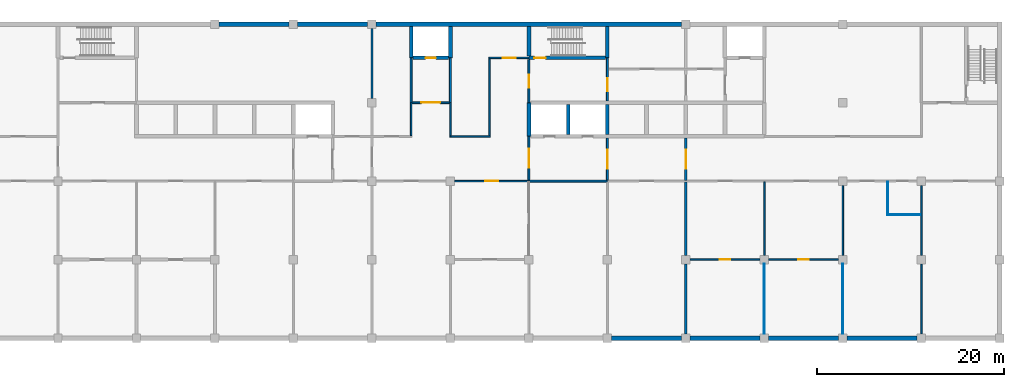
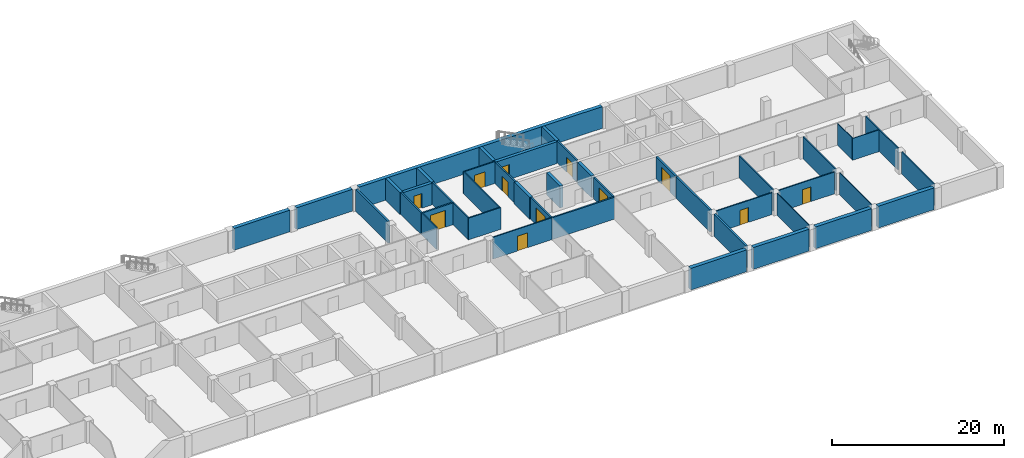
# One storey, part 5 of 12: 44 walls, 12 doors, 12 openings.
"""IFC4 building model written with IfcOpenShell, lengths in metres."""

from ifc_helpers import new_model, si_unit, direction, frame, frame_2d, origin, place, context, subcontext, project, spatial, rectangle, extrude, material, layer, layer_set, type_object, element, fill, save


model = new_model("IFC4")

# Units and contexts
model_context = context("Model", 3, precision=1e-05, world=origin(), true_north=direction((0.0, 1.0)))
body_context = subcontext(model_context, "Body", "Model", "MODEL_VIEW")
ifc_project = project(units=[si_unit("LENGTHUNIT", "METRE"), si_unit("AREAUNIT", "SQUARE_METRE"), si_unit("VOLUMEUNIT", "CUBIC_METRE"), si_unit("PLANEANGLEUNIT", "RADIAN"), si_unit("MASSUNIT", "GRAM", prefix="KILO")], contexts=[model_context])

# Site, building, storey
site_placement = place(None, origin())
site = spatial("IfcSite", under=ifc_project, at=site_placement, CompositionType="ELEMENT")
building_placement = place(site_placement, origin())
building = spatial("IfcBuilding", under=site, at=building_placement, Name="Yavir Park General Hospital", CompositionType="ELEMENT")
storey_placement = place(building_placement, frame((0.0, 0.0, -7.800048828125)))
storey = spatial("IfcBuildingStorey", under=building, at=storey_placement, Name="B2", CompositionType="ELEMENT", Elevation=-7.800048828125)

# Walls
ifc_material_1 = material(Name="Concrete C30/37", Category="concrete")
ifc_layer_1 = layer(ifc_material_1, 0.25)
ifc_layer_set_1 = layer_set([ifc_layer_1], Name="Concrete C30/37")
wall_type_1 = type_object("IfcWallType", Name="Compartment fire wall 250, REI 150", PredefinedType="SOLIDWALL", material=ifc_layer_set_1)
for number, where, z_axis, x_axis, name in (
    (1, (100.800048828125, 25.64990234375, 0.0), (0.0, 0.0, 1.0), (0.0, 1.0, 0.0), "FW25 B2-113"),
    (2, (134.39990234375, 0.449951171875, 0.0), (0.0, 0.0, 1.0), (0.0, 1.0, 0.0), "FW25 B2-137"),
):
    element("IfcWall", number, at=place(storey_placement, frame(where, z_axis=z_axis, x_axis=x_axis)), inside=storey, type_object=wall_type_1, Name=name, PredefinedType="SOLIDWALL", context=body_context, shape_type="SweptSolid", body=[
        extrude(rectangle(XDim=7.5, YDim=0.25, at=frame_2d((3.75, 0.0))), origin(), (0.0, 0.0, 1.0), 3.10009765625),
    ])
wall_1_placement = place(storey_placement, frame((134.39990234375, 8.85009765625, 0.0), z_axis=(0.0, 0.0, 1.0), x_axis=(0.0, 1.0, 0.0)))
element("IfcWall", 3, at=wall_1_placement, inside=storey, type_object=wall_type_1, Name="FW25 B2-138", PredefinedType="SOLIDWALL", context=body_context, shape_type="SweptSolid", body=[
    extrude(rectangle(XDim=7.875, YDim=0.25, at=frame_2d((3.9375, 0.0))), origin(), (0.0, 0.0, 1.0), 3.10009765625),
])

# Wall, opening, door
wall_2_placement = place(storey_placement, frame((134.39990234375, 16.875, 0.0), z_axis=(0.0, 0.0, 1.0), x_axis=(0.0, 1.0, 0.0)))
wall_2 = element("IfcWall", 4, at=wall_2_placement, inside=storey, type_object=wall_type_1, Name="FW25 B2-139", PredefinedType="SOLIDWALL", context=body_context, shape_type="SweptSolid", body=[
    extrude(rectangle(XDim=4.52490234375, YDim=0.25, at=frame_2d((2.262451171875, 0.0))), origin(), (0.0, 0.0, 1.0), 3.10009765625),
])
opening_1_placement = place(wall_2_placement, frame((1.262451171875, 0.0, 0.0)))
opening_1 = element("IfcOpeningElement", 5, at=opening_1_placement, cuts=wall_2, Name="Opening B2.D069", PredefinedType="OPENING", context=body_context, shape_type="SweptSolid", body=[
    extrude(rectangle(XDim=2.0, YDim=2.39990234375, at=frame_2d((1.0, 1.199951171875))), frame((0.0, 0.135009765625, 0.0), z_axis=(0.0, -1.0, 0.0), x_axis=(1.0, 0.0, 0.0)), (0.0, 0.0, 1.0), 0.27001953125),
])
ifc_material_2 = material(Name="Steel frame, fire-resisting leaves with vision panels", Category="steel")
door_type_1 = type_object("IfcDoorType", Name="Double fire door with vision panels 2000 x 2400, EI 60", OperationType="DOUBLE_DOOR_SINGLE_SWING", PredefinedType="DOOR", material=ifc_material_2)
door_1_placement = place(opening_1_placement, origin())
door_1 = element("IfcDoor", 6, at=door_1_placement, inside=storey, type_object=door_type_1, Name="B2.D069", OperationType="SINGLE_SWING_RIGHT", OverallHeight=2.39990234375, OverallWidth=2.0, PredefinedType="DOOR", context=body_context, shape_type="SweptSolid", body=[
    extrude(rectangle(XDim=2.0, YDim=2.39990234375, at=frame_2d((1.0, 1.199951171875))), frame((0.0, 0.030029296875, 0.0), z_axis=(0.0, -1.0, 0.0), x_axis=(1.0, 0.0, 0.0)), (0.0, 0.0, 1.0), 0.06005859375),
])
fill(opening_1, door_1)

# Wall
ifc_material_3 = material(Name="Double gypsum board fire partition on steel studs", Category="steel")
ifc_layer_2 = layer(ifc_material_3, 0.199951171875)
ifc_layer_set_2 = layer_set([ifc_layer_2], Name="Double gypsum board fire partition on steel studs")
wall_type_2 = type_object("IfcWallType", Name="Fire-rated partition 200, EI 60", PredefinedType="PARTITIONING", material=ifc_layer_set_2)
wall_3_placement = place(storey_placement, frame((117.60009765625, 16.800048828125, 0.0), z_axis=(0.0, 0.0, 1.0), x_axis=(1.0, 0.0, 0.0)))
element("IfcWall", 7, at=wall_3_placement, inside=storey, type_object=wall_type_2, Name="FP20 B2-024", PredefinedType="PARTITIONING", context=body_context, shape_type="SweptSolid", body=[
    extrude(rectangle(XDim=8.39990234375, YDim=0.199951171875, at=frame_2d((4.199951171875, 0.0))), origin(), (0.0, 0.0, 1.0), 3.10009765625),
])

# Wall, opening, door
wall_4_placement = place(storey_placement, frame((105.10009765625, 25.199951171875, 0.0), z_axis=(0.0, 0.0, 1.0), x_axis=(1.0, 0.0, 0.0)))
wall_4 = element("IfcWall", 8, at=wall_4_placement, inside=storey, type_object=wall_type_2, Name="FP20 B2-043", PredefinedType="PARTITIONING", context=body_context, shape_type="SweptSolid", body=[
    extrude(rectangle(XDim=4.0, YDim=0.199951171875, at=frame_2d((2.0, 0.0))), origin(), (0.0, 0.0, 1.0), 3.10009765625),
])
opening_2_placement = place(wall_4_placement, frame((1.0, 0.0, 0.0)))
opening_2 = element("IfcOpeningElement", 9, at=opening_2_placement, cuts=wall_4, Name="Opening B2.D043", PredefinedType="OPENING", context=body_context, shape_type="SweptSolid", body=[
    extrude(rectangle(XDim=2.0, YDim=2.39990234375, at=frame_2d((1.0, 1.199951171875))), frame((0.0, 0.10986328125, 0.0), z_axis=(0.0, -1.0, 0.0), x_axis=(1.0, 0.0, 0.0)), (0.0, 0.0, 1.0), 0.219970703125),
])
door_2_placement = place(opening_2_placement, origin())
door_2 = element("IfcDoor", 10, at=door_2_placement, inside=storey, type_object=door_type_1, Name="B2.D043", OperationType="SINGLE_SWING_LEFT", OverallHeight=2.39990234375, OverallWidth=2.0, PredefinedType="DOOR", context=body_context, shape_type="SweptSolid", body=[
    extrude(rectangle(XDim=2.0, YDim=2.39990234375, at=frame_2d((1.0, 1.199951171875))), frame((0.0, 0.030029296875, 0.0), z_axis=(0.0, -1.0, 0.0), x_axis=(1.0, 0.0, 0.0)), (0.0, 0.0, 1.0), 0.06005859375),
])
fill(opening_2, door_2)

# Walls
for number, where, z_axis, x_axis, name in (
    (11, (105.0, 25.199951171875, 0.0), (0.0, 0.0, 1.0), (0.0, 1.0, 0.0), "FP20 B2-115"),
    (12, (109.199951171875, 25.199951171875, 0.0), (0.0, 0.0, 1.0), (0.0, 1.0, 0.0), "FP20 B2-120"),
):
    element("IfcWall", number, at=place(storey_placement, frame(where, z_axis=z_axis, x_axis=x_axis)), inside=storey, type_object=wall_type_2, Name=name, PredefinedType="PARTITIONING", context=body_context, shape_type="SweptSolid", body=[
        extrude(rectangle(XDim=4.800048828125, YDim=0.199951171875, at=frame_2d((2.39990234375, 0.0))), origin(), (0.0, 0.0, 1.0), 3.10009765625),
    ])

# Wall, opening, door
wall_5_placement = place(storey_placement, frame((117.60009765625, 16.89990234375, 0.0), z_axis=(0.0, 0.0, 1.0), x_axis=(0.0, 1.0, 0.0)))
wall_5 = element("IfcWall", 13, at=wall_5_placement, inside=storey, type_object=wall_type_2, Name="FP20 B2-125", PredefinedType="PARTITIONING", context=body_context, shape_type="SweptSolid", body=[
    extrude(rectangle(XDim=4.7001953125, YDim=0.199951171875, at=frame_2d((2.35009765625, 0.0))), origin(), (0.0, 0.0, 1.0), 3.10009765625),
])
opening_3_placement = place(wall_5_placement, frame((1.35009765625, 0.0, 0.0)))
opening_3 = element("IfcOpeningElement", 14, at=opening_3_placement, cuts=wall_5, Name="Opening B2.D065", PredefinedType="OPENING", context=body_context, shape_type="SweptSolid", body=[
    extrude(rectangle(XDim=2.0, YDim=2.39990234375, at=frame_2d((1.0, 1.199951171875))), frame((0.0, 0.10986328125, 0.0), z_axis=(0.0, -1.0, 0.0), x_axis=(1.0, 0.0, 0.0)), (0.0, 0.0, 1.0), 0.219970703125),
])
door_3_placement = place(opening_3_placement, origin())
door_3 = element("IfcDoor", 15, at=door_3_placement, inside=storey, type_object=door_type_1, Name="B2.D065", OperationType="SINGLE_SWING_LEFT", OverallHeight=2.39990234375, OverallWidth=2.0, PredefinedType="DOOR", context=body_context, shape_type="SweptSolid", body=[
    extrude(rectangle(XDim=2.0, YDim=2.39990234375, at=frame_2d((1.0, 1.199951171875))), frame((0.0, 0.030029296875, 0.0), z_axis=(0.0, -1.0, 0.0), x_axis=(1.0, 0.0, 0.0)), (0.0, 0.0, 1.0), 0.06005859375),
])
fill(opening_3, door_3)

wall_6_placement = place(storey_placement, frame((117.60009765625, 25.199951171875, 0.0), z_axis=(0.0, 0.0, 1.0), x_axis=(0.0, 1.0, 0.0)))
wall_6 = element("IfcWall", 16, at=wall_6_placement, inside=storey, type_object=wall_type_2, Name="FP20 B2-127", PredefinedType="PARTITIONING", context=body_context, shape_type="SweptSolid", body=[
    extrude(rectangle(XDim=4.60009765625, YDim=0.199951171875, at=frame_2d((2.300048828125, 0.0))), origin(), (0.0, 0.0, 1.0), 3.10009765625),
])
opening_4_placement = place(wall_6_placement, frame((1.60009765625, 0.0, 0.0)))
opening_4 = element("IfcOpeningElement", 17, at=opening_4_placement, cuts=wall_6, Name="Opening B2.D066", PredefinedType="OPENING", context=body_context, shape_type="SweptSolid", body=[
    extrude(rectangle(XDim=1.39990234375, YDim=2.10009765625, at=frame_2d((0.699951171875, 1.050048828125))), frame((0.0, 0.10986328125, 0.0), z_axis=(0.0, -1.0, 0.0), x_axis=(1.0, 0.0, 0.0)), (0.0, 0.0, 1.0), 0.219970703125),
])
ifc_material_4 = material(Name="Steel frame, fire-resisting leaves with vision panels", Category="steel")
door_type_2 = type_object("IfcDoorType", Name="Double fire door with vision panels 1400 x 2100, EI 60", OperationType="DOUBLE_DOOR_SINGLE_SWING", PredefinedType="DOOR", material=ifc_material_4)
door_4_placement = place(opening_4_placement, origin())
door_4 = element("IfcDoor", 18, at=door_4_placement, inside=storey, type_object=door_type_2, Name="B2.D066", OperationType="SINGLE_SWING_LEFT", OverallHeight=2.10009765625, OverallWidth=1.39990234375, PredefinedType="DOOR", context=body_context, shape_type="SweptSolid", body=[
    extrude(rectangle(XDim=1.39990234375, YDim=2.10009765625, at=frame_2d((0.699951171875, 1.050048828125))), frame((0.0, 0.030029296875, 0.0), z_axis=(0.0, -1.0, 0.0), x_axis=(1.0, 0.0, 0.0)), (0.0, 0.0, 1.0), 0.06005859375),
])
fill(opening_4, door_4)

wall_7_placement = place(storey_placement, frame((126.0, 16.89990234375, 0.0), z_axis=(0.0, 0.0, 1.0), x_axis=(0.0, 1.0, 0.0)))
wall_7 = element("IfcWall", 19, at=wall_7_placement, inside=storey, type_object=wall_type_2, Name="FP20 B2-132", PredefinedType="PARTITIONING", context=body_context, shape_type="SweptSolid", body=[
    extrude(rectangle(XDim=4.5, YDim=0.199951171875, at=frame_2d((2.25, 0.0))), origin(), (0.0, 0.0, 1.0), 3.10009765625),
])
opening_5_placement = place(wall_7_placement, frame((1.25, 0.0, 0.0)))
opening_5 = element("IfcOpeningElement", 20, at=opening_5_placement, cuts=wall_7, Name="Opening B2.D067", PredefinedType="OPENING", context=body_context, shape_type="SweptSolid", body=[
    extrude(rectangle(XDim=2.0, YDim=2.39990234375, at=frame_2d((1.0, 1.199951171875))), frame((0.0, 0.10986328125, 0.0), z_axis=(0.0, -1.0, 0.0), x_axis=(1.0, 0.0, 0.0)), (0.0, 0.0, 1.0), 0.219970703125),
])
door_5_placement = place(opening_5_placement, origin())
door_5 = element("IfcDoor", 21, at=door_5_placement, inside=storey, type_object=door_type_1, Name="B2.D067", OperationType="SINGLE_SWING_LEFT", OverallHeight=2.39990234375, OverallWidth=2.0, PredefinedType="DOOR", context=body_context, shape_type="SweptSolid", body=[
    extrude(rectangle(XDim=2.0, YDim=2.39990234375, at=frame_2d((1.0, 1.199951171875))), frame((0.0, 0.030029296875, 0.0), z_axis=(0.0, -1.0, 0.0), x_axis=(1.0, 0.0, 0.0)), (0.0, 0.0, 1.0), 0.06005859375),
])
fill(opening_5, door_5)

wall_8_placement = place(storey_placement, frame((126.0, 25.39990234375, 0.0), z_axis=(0.0, 0.0, 1.0), x_axis=(0.0, 1.0, 0.0)))
wall_8 = element("IfcWall", 22, at=wall_8_placement, inside=storey, type_object=wall_type_2, Name="FP20 B2-134", PredefinedType="PARTITIONING", context=body_context, shape_type="SweptSolid", body=[
    extrude(rectangle(XDim=4.60009765625, YDim=0.199951171875, at=frame_2d((2.300048828125, 0.0))), origin(), (0.0, 0.0, 1.0), 3.10009765625),
])
opening_6_placement = place(wall_8_placement, frame((1.0, 0.0, 0.0)))
opening_6 = element("IfcOpeningElement", 23, at=opening_6_placement, cuts=wall_8, Name="Opening B2.D068", PredefinedType="OPENING", context=body_context, shape_type="SweptSolid", body=[
    extrude(rectangle(XDim=1.39990234375, YDim=2.10009765625, at=frame_2d((0.699951171875, 1.050048828125))), frame((0.0, 0.10986328125, 0.0), z_axis=(0.0, -1.0, 0.0), x_axis=(1.0, 0.0, 0.0)), (0.0, 0.0, 1.0), 0.219970703125),
])
door_6_placement = place(opening_6_placement, origin())
door_6 = element("IfcDoor", 24, at=door_6_placement, inside=storey, type_object=door_type_2, Name="B2.D068", OperationType="SINGLE_SWING_RIGHT", OverallHeight=2.10009765625, OverallWidth=1.39990234375, PredefinedType="DOOR", context=body_context, shape_type="SweptSolid", body=[
    extrude(rectangle(XDim=1.39990234375, YDim=2.10009765625, at=frame_2d((0.699951171875, 1.050048828125))), frame((0.0, 0.030029296875, 0.0), z_axis=(0.0, -1.0, 0.0), x_axis=(1.0, 0.0, 0.0)), (0.0, 0.0, 1.0), 0.06005859375),
])
fill(opening_6, door_6)

# Walls
ifc_material_5 = material(Name="Gypsum board partition on steel studs", Category="steel")
ifc_layer_3 = layer(ifc_material_5, 0.10009765625)
ifc_layer_set_3 = layer_set([ifc_layer_3], Name="Gypsum board partition on steel studs")
wall_type_3 = type_object("IfcWallType", Name="Gypsum board partition 100", PredefinedType="PARTITIONING", material=ifc_layer_set_3)
wall_9_placement = place(storey_placement, frame((155.949951171875, 13.199951171875, 0.0), z_axis=(0.0, 0.0, 1.0), x_axis=(1.0, 0.0, 0.0)))
element("IfcWall", 25, at=wall_9_placement, inside=storey, type_object=wall_type_3, Name="P10 B2-010", PredefinedType="PARTITIONING", context=body_context, shape_type="SweptSolid", body=[
    extrude(rectangle(XDim=3.574951171875, YDim=0.10009765625, at=frame_2d((1.78759765625, 0.0))), origin(), (0.0, 0.0, 1.0), 3.10009765625),
])
for number, where, z_axis, x_axis, name in (
    (26, (142.800048828125, 0.449951171875, 0.0), (0.0, 0.0, 1.0), (0.0, 1.0, 0.0), "P10 B2-146"),
    (27, (151.199951171875, 0.449951171875, 0.0), (0.0, 0.0, 1.0), (0.0, 1.0, 0.0), "P10 B2-151"),
):
    element("IfcWall", number, at=place(storey_placement, frame(where, z_axis=z_axis, x_axis=x_axis)), inside=storey, type_object=wall_type_3, Name=name, PredefinedType="PARTITIONING", context=body_context, shape_type="SweptSolid", body=[
        extrude(rectangle(XDim=7.5, YDim=0.10009765625, at=frame_2d((3.75, 0.0))), origin(), (0.0, 0.0, 1.0), 3.10009765625),
    ])
wall_10_placement = place(storey_placement, frame((156.0, 13.25, 0.0), z_axis=(0.0, 0.0, 1.0), x_axis=(0.0, 1.0, 0.0)))
element("IfcWall", 28, at=wall_10_placement, inside=storey, type_object=wall_type_3, Name="P10 B2-153", PredefinedType="PARTITIONING", context=body_context, shape_type="SweptSolid", body=[
    extrude(rectangle(XDim=3.47509765625, YDim=0.10009765625, at=frame_2d((1.737548828125, 0.0))), origin(), (0.0, 0.0, 1.0), 3.10009765625),
])

# Wall, opening, door
ifc_material_6 = material(Name="Gypsum board partition on steel studs", Category="steel")
ifc_layer_4 = layer(ifc_material_6, 0.14990234375)
ifc_layer_set_4 = layer_set([ifc_layer_4], Name="Gypsum board partition on steel studs")
wall_type_4 = type_object("IfcWallType", Name="Gypsum board partition 150", PredefinedType="PARTITIONING", material=ifc_layer_set_4)
wall_11_placement = place(storey_placement, frame((134.85009765625, 8.39990234375, 0.0), z_axis=(0.0, 0.0, 1.0), x_axis=(1.0, 0.0, 0.0)))
wall_11 = element("IfcWall", 29, at=wall_11_placement, inside=storey, type_object=wall_type_4, Name="P15 B2-008", PredefinedType="PARTITIONING", context=body_context, shape_type="SweptSolid", body=[
    extrude(rectangle(XDim=7.5, YDim=0.14990234375, at=frame_2d((3.75, 0.0))), origin(), (0.0, 0.0, 1.0), 3.10009765625),
])
opening_7_placement = place(wall_11_placement, frame((3.199951171875, 0.0, 0.0)))
opening_7 = element("IfcOpeningElement", 30, at=opening_7_placement, cuts=wall_11, Name="Opening B2.D008", PredefinedType="OPENING", context=body_context, shape_type="SweptSolid", body=[
    extrude(rectangle(XDim=1.10009765625, YDim=2.10009765625, at=frame_2d((0.550048828125, 1.050048828125))), frame((0.0, 0.0849609375, 0.0), z_axis=(0.0, -1.0, 0.0), x_axis=(1.0, 0.0, 0.0)), (0.0, 0.0, 1.0), 0.169921875),
])
ifc_material_7 = material(Name="Hollow metal frame, solid-core timber leaf", Category="wood")
door_type_3 = type_object("IfcDoorType", Name="Single swing door 1100 x 2100", OperationType="SINGLE_SWING_LEFT", PredefinedType="DOOR", material=ifc_material_7)
door_7_placement = place(opening_7_placement, origin())
door_7 = element("IfcDoor", 31, at=door_7_placement, inside=storey, type_object=door_type_3, Name="B2.D008", OperationType="SINGLE_SWING_LEFT", OverallHeight=2.10009765625, OverallWidth=1.10009765625, PredefinedType="DOOR", context=body_context, shape_type="SweptSolid", body=[
    extrude(rectangle(XDim=1.10009765625, YDim=2.10009765625, at=frame_2d((0.550048828125, 1.050048828125))), frame((0.0, 0.02490234375, 0.0), z_axis=(0.0, -1.0, 0.0), x_axis=(1.0, 0.0, 0.0)), (0.0, 0.0, 1.0), 0.050048828125),
])
fill(opening_7, door_7)

wall_12_placement = place(storey_placement, frame((143.25, 8.39990234375, 0.0), z_axis=(0.0, 0.0, 1.0), x_axis=(1.0, 0.0, 0.0)))
wall_12 = element("IfcWall", 32, at=wall_12_placement, inside=storey, type_object=wall_type_4, Name="P15 B2-009", PredefinedType="PARTITIONING", context=body_context, shape_type="SweptSolid", body=[
    extrude(rectangle(XDim=7.5, YDim=0.14990234375, at=frame_2d((3.75, 0.0))), origin(), (0.0, 0.0, 1.0), 3.10009765625),
])
opening_8_placement = place(wall_12_placement, frame((3.199951171875, 0.0, 0.0)))
opening_8 = element("IfcOpeningElement", 33, at=opening_8_placement, cuts=wall_12, Name="Opening B2.D009", PredefinedType="OPENING", context=body_context, shape_type="SweptSolid", body=[
    extrude(rectangle(XDim=1.10009765625, YDim=2.10009765625, at=frame_2d((0.550048828125, 1.050048828125))), frame((0.0, 0.0849609375, 0.0), z_axis=(0.0, -1.0, 0.0), x_axis=(1.0, 0.0, 0.0)), (0.0, 0.0, 1.0), 0.169921875),
])
door_8_placement = place(opening_8_placement, origin())
door_8 = element("IfcDoor", 34, at=door_8_placement, inside=storey, type_object=door_type_3, Name="B2.D009", OperationType="SINGLE_SWING_LEFT", OverallHeight=2.10009765625, OverallWidth=1.10009765625, PredefinedType="DOOR", context=body_context, shape_type="SweptSolid", body=[
    extrude(rectangle(XDim=1.10009765625, YDim=2.10009765625, at=frame_2d((0.550048828125, 1.050048828125))), frame((0.0, 0.02490234375, 0.0), z_axis=(0.0, -1.0, 0.0), x_axis=(1.0, 0.0, 0.0)), (0.0, 0.0, 1.0), 0.050048828125),
])
fill(opening_8, door_8)

wall_13_placement = place(storey_placement, frame((109.64990234375, 16.800048828125, 0.0), z_axis=(0.0, 0.0, 1.0), x_axis=(1.0, 0.0, 0.0)))
wall_13 = element("IfcWall", 35, at=wall_13_placement, inside=storey, type_object=wall_type_4, Name="P15 B2-023", PredefinedType="PARTITIONING", context=body_context, shape_type="SweptSolid", body=[
    extrude(rectangle(XDim=7.9501953125, YDim=0.14990234375, at=frame_2d((3.97509765625, 0.0))), origin(), (0.0, 0.0, 1.0), 3.10009765625),
])
opening_9_placement = place(wall_13_placement, frame((3.27490234375, 0.0, 0.0)))
opening_9 = element("IfcOpeningElement", 36, at=opening_9_placement, cuts=wall_13, Name="Opening B2.D023", PredefinedType="OPENING", context=body_context, shape_type="SweptSolid", body=[
    extrude(rectangle(XDim=1.39990234375, YDim=2.10009765625, at=frame_2d((0.699951171875, 1.050048828125))), frame((0.0, 0.0849609375, 0.0), z_axis=(0.0, -1.0, 0.0), x_axis=(1.0, 0.0, 0.0)), (0.0, 0.0, 1.0), 0.169921875),
])
ifc_material_8 = material(Name="Hollow metal frame, solid-core timber leaf", Category="wood")
door_type_4 = type_object("IfcDoorType", Name="Double swing door 1400 x 2100", OperationType="DOUBLE_DOOR_SINGLE_SWING", PredefinedType="DOOR", material=ifc_material_8)
door_9_placement = place(opening_9_placement, origin())
door_9 = element("IfcDoor", 37, at=door_9_placement, inside=storey, type_object=door_type_4, Name="B2.D023", OperationType="SINGLE_SWING_LEFT", OverallHeight=2.10009765625, OverallWidth=1.39990234375, PredefinedType="DOOR", context=body_context, shape_type="SweptSolid", body=[
    extrude(rectangle(XDim=1.39990234375, YDim=2.10009765625, at=frame_2d((0.699951171875, 1.050048828125))), frame((0.0, 0.02490234375, 0.0), z_axis=(0.0, -1.0, 0.0), x_axis=(1.0, 0.0, 0.0)), (0.0, 0.0, 1.0), 0.050048828125),
])
fill(opening_9, door_9)

# Wall
wall_14_placement = place(storey_placement, frame((109.125, 21.60009765625, 0.0), z_axis=(0.0, 0.0, 1.0), x_axis=(1.0, 0.0, 0.0)))
element("IfcWall", 38, at=wall_14_placement, inside=storey, type_object=wall_type_4, Name="P15 B2-034", PredefinedType="PARTITIONING", context=body_context, shape_type="SweptSolid", body=[
    extrude(rectangle(XDim=4.35009765625, YDim=0.14990234375, at=frame_2d((2.175048828125, 0.0))), origin(), (0.0, 0.0, 1.0), 3.10009765625),
])

# Wall, opening, door
wall_15_placement = place(storey_placement, frame((113.324951171875, 30.0, 0.0), z_axis=(0.0, 0.0, 1.0), x_axis=(1.0, 0.0, 0.0)))
wall_15 = element("IfcWall", 39, at=wall_15_placement, inside=storey, type_object=wall_type_4, Name="P15 B2-051", PredefinedType="PARTITIONING", context=body_context, shape_type="SweptSolid", body=[
    extrude(rectangle(XDim=4.275146484375, YDim=0.14990234375, at=frame_2d((2.1376953125, 0.0))), origin(), (0.0, 0.0, 1.0), 3.10009765625),
])
opening_10_placement = place(wall_15_placement, frame((1.47509765625, 0.0, 0.0)))
opening_10 = element("IfcOpeningElement", 40, at=opening_10_placement, cuts=wall_15, Name="Opening B2.D051", PredefinedType="OPENING", context=body_context, shape_type="SweptSolid", body=[
    extrude(rectangle(XDim=1.39990234375, YDim=2.10009765625, at=frame_2d((0.699951171875, 1.050048828125))), frame((0.0, 0.0849609375, 0.0), z_axis=(0.0, -1.0, 0.0), x_axis=(1.0, 0.0, 0.0)), (0.0, 0.0, 1.0), 0.169921875),
])
door_10_placement = place(opening_10_placement, origin())
door_10 = element("IfcDoor", 41, at=door_10_placement, inside=storey, type_object=door_type_4, Name="B2.D051", OperationType="SINGLE_SWING_LEFT", OverallHeight=2.10009765625, OverallWidth=1.39990234375, PredefinedType="DOOR", context=body_context, shape_type="SweptSolid", body=[
    extrude(rectangle(XDim=1.39990234375, YDim=2.10009765625, at=frame_2d((0.699951171875, 1.050048828125))), frame((0.0, 0.02490234375, 0.0), z_axis=(0.0, -1.0, 0.0), x_axis=(1.0, 0.0, 0.0)), (0.0, 0.0, 1.0), 0.050048828125),
])
fill(opening_10, door_10)

# Walls
for number, where, z_axis, x_axis, name in (
    (42, (105.0, 21.675048828125, 0.0), (0.0, 0.0, 1.0), (0.0, 1.0, 0.0), "P15 B2-114"),
    (43, (109.199951171875, 21.675048828125, 0.0), (0.0, 0.0, 1.0), (0.0, 1.0, 0.0), "P15 B2-119"),
):
    element("IfcWall", number, at=place(storey_placement, frame(where, z_axis=z_axis, x_axis=x_axis)), inside=storey, type_object=wall_type_4, Name=name, PredefinedType="PARTITIONING", context=body_context, shape_type="SweptSolid", body=[
        extrude(rectangle(XDim=3.52490234375, YDim=0.14990234375, at=frame_2d((1.762451171875, 0.0))), origin(), (0.0, 0.0, 1.0), 3.10009765625),
    ])
wall_16_placement = place(storey_placement, frame((113.39990234375, 21.675048828125, 0.0), z_axis=(0.0, 0.0, 1.0), x_axis=(0.0, 1.0, 0.0)))
element("IfcWall", 44, at=wall_16_placement, inside=storey, type_object=wall_type_4, Name="P15 B2-122", PredefinedType="PARTITIONING", context=body_context, shape_type="SweptSolid", body=[
    extrude(rectangle(XDim=8.25, YDim=0.14990234375, at=frame_2d((4.125, 0.0))), origin(), (0.0, 0.0, 1.0), 3.10009765625),
])
wall_17_placement = place(storey_placement, frame((142.800048828125, 8.85009765625, 0.0), z_axis=(0.0, 0.0, 1.0), x_axis=(0.0, 1.0, 0.0)))
element("IfcWall", 45, at=wall_17_placement, inside=storey, type_object=wall_type_4, Name="P15 B2-147", PredefinedType="PARTITIONING", context=body_context, shape_type="SweptSolid", body=[
    extrude(rectangle(XDim=7.875, YDim=0.14990234375, at=frame_2d((3.9375, 0.0))), origin(), (0.0, 0.0, 1.0), 3.10009765625),
])
for number, where, z_axis, x_axis, name in (
    (46, (151.199951171875, 8.85009765625, 0.0), (0.0, 0.0, 1.0), (0.0, 1.0, 0.0), "P15 B2-152"),
    (47, (159.60009765625, 0.449951171875, 0.0), (0.0, 0.0, 1.0), (0.0, 1.0, 0.0), "P15 B2-154"),
    (48, (159.60009765625, 8.85009765625, 0.0), (0.0, 0.0, 1.0), (0.0, 1.0, 0.0), "P15 B2-155"),
):
    element("IfcWall", number, at=place(storey_placement, frame(where, z_axis=z_axis, x_axis=x_axis)), inside=storey, type_object=wall_type_4, Name=name, PredefinedType="PARTITIONING", context=body_context, shape_type="SweptSolid", body=[
        extrude(rectangle(XDim=7.5, YDim=0.14990234375, at=frame_2d((3.75, 0.0))), origin(), (0.0, 0.0, 1.0), 3.10009765625),
    ])
ifc_material_9 = material(Name="Concrete C35/45", Category="concrete")
ifc_layer_5 = layer(ifc_material_9, 0.5)
ifc_layer_set_5 = layer_set([ifc_layer_5], Name="Concrete C35/45")
wall_type_5 = type_object("IfcWallType", Name="RC WALL RETAINING 500", PredefinedType="SOLIDWALL", material=ifc_layer_set_5)
for number, where, z_axis, x_axis, name in (
    (49, (126.449951171875, 0.0, 0.0), (0.0, 0.0, 1.0), (1.0, 0.0, 0.0), "W:RET:B2:S15"),
    (50, (134.85009765625, 0.0, 0.0), (0.0, 0.0, 1.0), (1.0, 0.0, 0.0), "W:RET:B2:S16"),
    (51, (143.25, 0.0, 0.0), (0.0, 0.0, 1.0), (1.0, 0.0, 0.0), "W:RET:B2:S17"),
    (52, (151.64990234375, 0.0, 0.0), (0.0, 0.0, 1.0), (1.0, 0.0, 0.0), "W:RET:B2:S18"),
    (53, (84.449951171875, 33.60009765625, 0.0), (0.0, 0.0, 1.0), (1.0, 0.0, 0.0), "W:RET:B2:N25"),
    (54, (92.85009765625, 33.60009765625, 0.0), (0.0, 0.0, 1.0), (1.0, 0.0, 0.0), "W:RET:B2:N26"),
):
    element("IfcWall", number, at=place(storey_placement, frame(where, z_axis=z_axis, x_axis=x_axis)), inside=storey, type_object=wall_type_5, Name=name, PredefinedType="SOLIDWALL", context=body_context, shape_type="SweptSolid", body=[
        extrude(rectangle(XDim=7.5, YDim=0.5, at=frame_2d((3.75, 0.0))), origin(), (0.0, 0.0, 1.0), 3.10009765625),
    ])
wall_18_placement = place(storey_placement, frame((101.25, 33.60009765625, 0.0), z_axis=(0.0, 0.0, 1.0), x_axis=(1.0, 0.0, 0.0)))
element("IfcWall", 55, at=wall_18_placement, inside=storey, type_object=wall_type_5, Name="W:RET:B2:N27", PredefinedType="SOLIDWALL", context=body_context, shape_type="SweptSolid", body=[
    extrude(rectangle(XDim=32.699951171875, YDim=0.5, at=frame_2d((16.35009765625, 0.0))), origin(), (0.0, 0.0, 1.0), 3.10009765625),
])

# Wall, opening, door
ifc_material_10 = material(Name="Concrete C35/45", Category="concrete")
ifc_layer_6 = layer(ifc_material_10, 0.39990234375)
ifc_layer_set_6 = layer_set([ifc_layer_6], Name="Concrete C35/45")
wall_type_6 = type_object("IfcWallType", Name="Reinforced concrete core wall 400, REI 150", PredefinedType="SHEAR", material=ifc_layer_set_6)
wall_19_placement = place(storey_placement, frame((105.199951171875, 30.0, 0.0), z_axis=(0.0, 0.0, 1.0), x_axis=(1.0, 0.0, 0.0)))
wall_19 = element("IfcWall", 56, at=wall_19_placement, inside=storey, type_object=wall_type_6, Name="CW40 B2-050", PredefinedType="SHEAR", context=body_context, shape_type="SweptSolid", body=[
    extrude(rectangle(XDim=3.800048828125, YDim=0.39990234375, at=frame_2d((1.89990234375, 0.0))), origin(), (0.0, 0.0, 1.0), 3.10009765625),
])
opening_11_placement = place(wall_19_placement, frame((1.35009765625, 0.0, 0.0)))
opening_11 = element("IfcOpeningElement", 57, at=opening_11_placement, cuts=wall_19, Name="Opening B2.D050", PredefinedType="OPENING", context=body_context, shape_type="SweptSolid", body=[
    extrude(rectangle(XDim=1.10009765625, YDim=2.10009765625, at=frame_2d((0.550048828125, 1.050048828125))), frame((0.0, 0.2099609375, 0.0), z_axis=(0.0, -1.0, 0.0), x_axis=(1.0, 0.0, 0.0)), (0.0, 0.0, 1.0), 0.419921875),
])
ifc_material_11 = material(Name="Stainless steel landing door panels", Category="steel")
door_type_5 = type_object("IfcDoorType", Name="Lift landing door 1100 x 2100, EI 60", OperationType="SLIDING_TO_LEFT", PredefinedType="DOOR", material=ifc_material_11)
door_11_placement = place(opening_11_placement, origin())
door_11 = element("IfcDoor", 58, at=door_11_placement, inside=storey, type_object=door_type_5, Name="B2.D050", OperationType="SLIDING_TO_LEFT", OverallHeight=2.10009765625, OverallWidth=1.10009765625, PredefinedType="DOOR", context=body_context, shape_type="SweptSolid", body=[
    extrude(rectangle(XDim=1.10009765625, YDim=2.10009765625, at=frame_2d((0.550048828125, 1.050048828125))), frame((0.0, 0.02490234375, 0.0), z_axis=(0.0, -1.0, 0.0), x_axis=(1.0, 0.0, 0.0)), (0.0, 0.0, 1.0), 0.050048828125),
])
fill(opening_11, door_11)

wall_20_placement = place(storey_placement, frame((117.60009765625, 30.0, 0.0), z_axis=(0.0, 0.0, 1.0), x_axis=(1.0, 0.0, 0.0)))
wall_20 = element("IfcWall", 59, at=wall_20_placement, inside=storey, type_object=wall_type_6, Name="CW40 B2-052", PredefinedType="SHEAR", context=body_context, shape_type="SweptSolid", body=[
    extrude(rectangle(XDim=8.199951171875, YDim=0.39990234375, at=frame_2d((4.10009765625, 0.0))), origin(), (0.0, 0.0, 1.0), 3.10009765625),
])
opening_12_placement = place(wall_20_placement, frame((0.60009765625, 0.0, 0.0)))
opening_12 = element("IfcOpeningElement", 60, at=opening_12_placement, cuts=wall_20, Name="Opening B2.D052", PredefinedType="OPENING", context=body_context, shape_type="SweptSolid", body=[
    extrude(rectangle(XDim=1.199951171875, YDim=2.10009765625, at=frame_2d((0.60009765625, 1.050048828125))), frame((0.0, 0.2099609375, 0.0), z_axis=(0.0, -1.0, 0.0), x_axis=(1.0, 0.0, 0.0)), (0.0, 0.0, 1.0), 0.419921875),
])
ifc_material_12 = material(Name="Steel frame, fire-resisting timber leaf", Category="steel")
door_type_6 = type_object("IfcDoorType", Name="Fire door 1200 x 2100, EI 60", OperationType="SINGLE_SWING_LEFT", PredefinedType="DOOR", material=ifc_material_12)
door_12_placement = place(opening_12_placement, origin())
door_12 = element("IfcDoor", 61, at=door_12_placement, inside=storey, type_object=door_type_6, Name="B2.D052", OperationType="SINGLE_SWING_RIGHT", OverallHeight=2.10009765625, OverallWidth=1.199951171875, PredefinedType="DOOR", context=body_context, shape_type="SweptSolid", body=[
    extrude(rectangle(XDim=1.199951171875, YDim=2.10009765625, at=frame_2d((0.60009765625, 1.050048828125))), frame((0.0, 0.02490234375, 0.0), z_axis=(0.0, -1.0, 0.0), x_axis=(1.0, 0.0, 0.0)), (0.0, 0.0, 1.0), 0.050048828125),
])
fill(opening_12, door_12)

# Walls
for number, where, z_axis, x_axis, name in (
    (62, (105.0, 30.0, 0.0), (0.0, 0.0, 1.0), (0.0, 1.0, 0.0), "CW40 B2-116"),
    (63, (109.199951171875, 30.0, 0.0), (0.0, 0.0, 1.0), (0.0, 1.0, 0.0), "CW40 B2-121"),
):
    element("IfcWall", number, at=place(storey_placement, frame(where, z_axis=z_axis, x_axis=x_axis)), inside=storey, type_object=wall_type_6, Name=name, PredefinedType="SHEAR", context=body_context, shape_type="SweptSolid", body=[
        extrude(rectangle(XDim=3.35009765625, YDim=0.39990234375, at=frame_2d((1.675048828125, 0.0))), origin(), (0.0, 0.0, 1.0), 3.10009765625),
    ])
wall_21_placement = place(storey_placement, frame((117.60009765625, 21.60009765625, 0.0), z_axis=(0.0, 0.0, 1.0), x_axis=(0.0, 1.0, 0.0)))
element("IfcWall", 64, at=wall_21_placement, inside=storey, type_object=wall_type_6, Name="CW40 B2-126", PredefinedType="SHEAR", context=body_context, shape_type="SweptSolid", body=[
    extrude(rectangle(XDim=3.599853515625, YDim=0.39990234375, at=frame_2d((1.7998046875, 0.0))), origin(), (0.0, 0.0, 1.0), 3.10009765625),
])
wall_22_placement = place(storey_placement, frame((117.60009765625, 30.199951171875, 0.0), z_axis=(0.0, 0.0, 1.0), x_axis=(0.0, 1.0, 0.0)))
element("IfcWall", 65, at=wall_22_placement, inside=storey, type_object=wall_type_6, Name="CW40 B2-128", PredefinedType="SHEAR", context=body_context, shape_type="SweptSolid", body=[
    extrude(rectangle(XDim=3.150146484375, YDim=0.39990234375, at=frame_2d((1.5751953125, 0.0))), origin(), (0.0, 0.0, 1.0), 3.10009765625),
])
for number, where, z_axis, x_axis, name in (
    (66, (121.800048828125, 21.800048828125, 0.0), (0.0, 0.0, 1.0), (0.0, 1.0, 0.0), "CW40 B2-129"),
    (67, (126.0, 21.800048828125, 0.0), (0.0, 0.0, 1.0), (0.0, 1.0, 0.0), "CW40 B2-133"),
):
    element("IfcWall", number, at=place(storey_placement, frame(where, z_axis=z_axis, x_axis=x_axis)), inside=storey, type_object=wall_type_6, Name=name, PredefinedType="SHEAR", context=body_context, shape_type="SweptSolid", body=[
        extrude(rectangle(XDim=3.199951171875, YDim=0.39990234375, at=frame_2d((1.60009765625, 0.0))), origin(), (0.0, 0.0, 1.0), 3.10009765625),
    ])
wall_23_placement = place(storey_placement, frame((126.0, 30.0, 0.0), z_axis=(0.0, 0.0, 1.0), x_axis=(0.0, 1.0, 0.0)))
element("IfcWall", 68, at=wall_23_placement, inside=storey, type_object=wall_type_6, Name="CW40 B2-135", PredefinedType="SHEAR", context=body_context, shape_type="SweptSolid", body=[
    extrude(rectangle(XDim=3.35009765625, YDim=0.39990234375, at=frame_2d((1.675048828125, 0.0))), origin(), (0.0, 0.0, 1.0), 3.10009765625),
])

save(model, "model.ifc")
